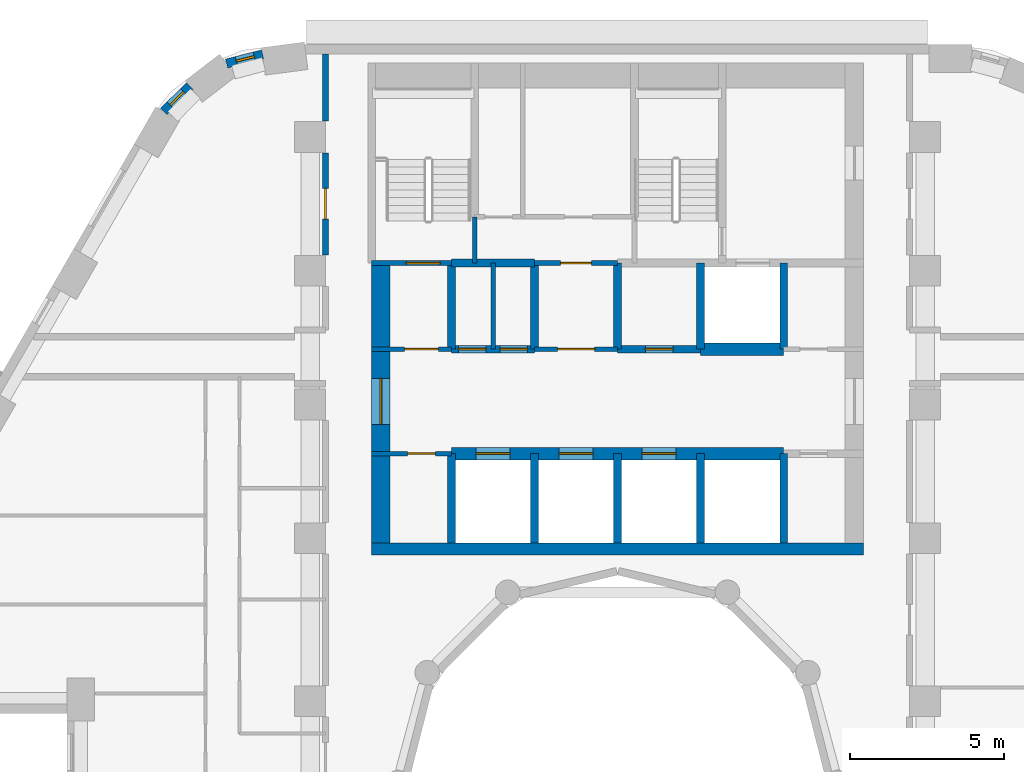
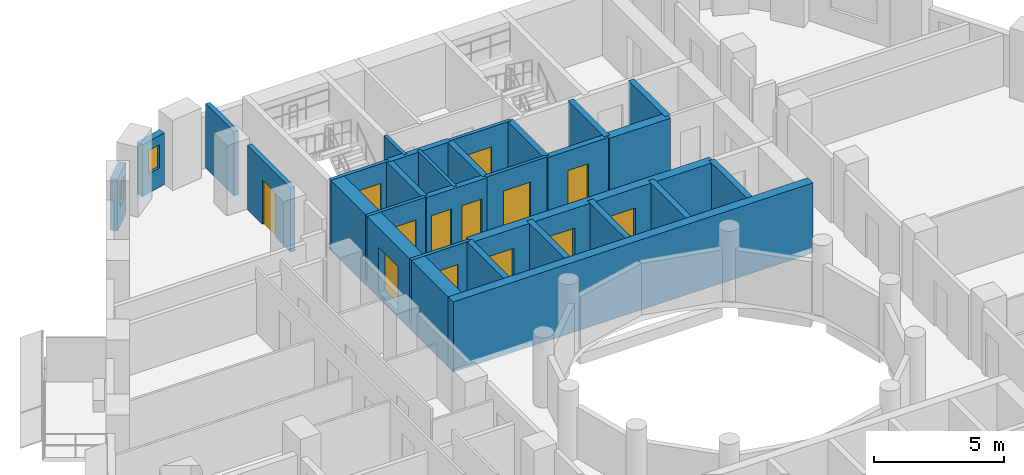
# One storey, part 7 of 14: 28 walls, 13 doors, 2 windows, 15 openings.
"""IFC4 building model written with IfcOpenShell, lengths in metres."""

from ifc_helpers import new_model, si_unit, direction, frame, frame_2d, origin, place, context, subcontext, project, spatial, rectangle, extrude, material, layer, layer_set, type_object, element, fill, save


model = new_model("IFC4")

# Units and contexts
model_context = context("Model", 3, precision=1e-05, world=origin(), true_north=direction((0.0, 1.0)))
body_context = subcontext(model_context, "Body", "Model", "MODEL_VIEW")
ifc_project = project(units=[si_unit("LENGTHUNIT", "METRE"), si_unit("AREAUNIT", "SQUARE_METRE"), si_unit("VOLUMEUNIT", "CUBIC_METRE"), si_unit("PLANEANGLEUNIT", "RADIAN"), si_unit("MASSUNIT", "GRAM", prefix="KILO")], contexts=[model_context])

# Site, building, storey
site_placement = place(None, origin())
site = spatial("IfcSite", under=ifc_project, at=site_placement, CompositionType="ELEMENT")
building_placement = place(site_placement, origin())
building = spatial("IfcBuilding", under=site, at=building_placement, Name="Nakaniwa Court", CompositionType="ELEMENT")
storey_placement = place(building_placement, frame((0.0, 0.0, 110.699951171875)))
storey = spatial("IfcBuildingStorey", under=building, at=storey_placement, Name="L29", CompositionType="ELEMENT", Elevation=110.699951171875)

# Wall, opening, door
ifc_material_1 = material(Name="Acoustic double stud partition")
ifc_layer_1 = layer(ifc_material_1, 0.199951171875)
ifc_layer_set_1 = layer_set([ifc_layer_1], Name="Acoustic double stud partition")
wall_type_1 = type_object("IfcWallType", Name="Acoustic double stud partition 200", PredefinedType="PARTITIONING", material=ifc_layer_set_1)
wall_1_placement = place(storey_placement, frame((70.5, 97.1669921875, 0.0), z_axis=(0.0, 0.0, 1.0), x_axis=(0.0, 1.0, 0.0)))
wall_1 = element("IfcWall", 1, at=wall_1_placement, inside=storey, type_object=wall_type_1, Name="Partition PW-107", PredefinedType="PARTITIONING", context=body_context, shape_type="SweptSolid", body=[
    extrude(rectangle(XDim=3.31591796875, YDim=0.199951171875, at=frame_2d((1.657958984375, 0.0))), origin(), (0.0, 0.0, 1.0), 3.025146484375),
])
opening_1_placement = place(wall_1_placement, frame((1.157958984375, 0.0, 0.0)))
opening_1 = element("IfcOpeningElement", 2, at=opening_1_placement, cuts=wall_1, Name="Opening D-02-06", PredefinedType="OPENING", context=body_context, shape_type="SweptSolid", body=[
    extrude(rectangle(XDim=1.0, YDim=2.10009765625, at=frame_2d((0.5, 1.050048828125))), frame((0.0, 0.10986328125, 0.0), z_axis=(0.0, -1.0, 0.0), x_axis=(1.0, 0.0, 0.0)), (0.0, 0.0, 1.0), 0.219970703125),
])
ifc_material_2 = material(Name="Solid core timber door set, black veneer", Category="wood")
door_type_1 = type_object("IfcDoorType", Name="Internal door 1000", OperationType="NOTDEFINED", PredefinedType="DOOR", material=ifc_material_2)
door_1_placement = place(opening_1_placement, origin())
door_1 = element("IfcDoor", 3, at=door_1_placement, inside=storey, type_object=door_type_1, Name="Door D-02-06 L29-052", OperationType="SINGLE_SWING_LEFT", OverallHeight=2.10009765625, OverallWidth=1.0, PredefinedType="DOOR", context=body_context, shape_type="SweptSolid", body=[
    extrude(rectangle(XDim=1.0, YDim=2.10009765625, at=frame_2d((0.5, 1.050048828125))), frame((0.0, 0.02490234375, 0.0), z_axis=(0.0, -1.0, 0.0), x_axis=(1.0, 0.0, 0.0)), (0.0, 0.0, 1.0), 0.050048828125),
])
fill(opening_1, door_1)

# Wall
wall_2_placement = place(storey_placement, frame((70.5, 101.51708984375, 0.0), z_axis=(0.0, 0.0, 1.0), x_axis=(0.0, 1.0, 0.0)))
element("IfcWall", 4, at=wall_2_placement, inside=storey, type_object=wall_type_1, Name="Partition PW-108", PredefinedType="PARTITIONING", context=body_context, shape_type="SweptSolid", body=[
    extrude(rectangle(XDim=2.182861328125, YDim=0.199951171875, at=frame_2d((1.09130859375, 0.0))), origin(), (0.0, 0.0, 1.0), 3.025146484375),
])

# Wall, opening, window
ifc_material_3 = material(Name="Charcoal ceramic cladding")
ifc_layer_2 = layer(ifc_material_3, 0.02, Name="Ceramic cladding")
ifc_material_4 = material(Name="Ventilated air cavity")
ifc_layer_3 = layer(ifc_material_4, 0.04, ventilated=True, Name="Ventilated cavity")
ifc_material_5 = material(Name="Mineral wool insulation")
ifc_layer_4 = layer(ifc_material_5, 0.1, Name="Insulation")
ifc_material_6 = material(Name="Cement bonded sheathing board")
ifc_layer_5 = layer(ifc_material_6, 0.012, Name="Sheathing")
ifc_material_7 = material(Name="Cold-formed galvanised stud frame with mineral wool infill")
ifc_layer_6 = layer(ifc_material_7, 0.1, Name="Stud frame")
ifc_material_8 = material(Name="Fire-rated gypsum plasterboard lining")
ifc_layer_7 = layer(ifc_material_8, 0.028, Name="Lining")
ifc_layer_set_2 = layer_set([ifc_layer_2, ifc_layer_3, ifc_layer_4, ifc_layer_5, ifc_layer_6, ifc_layer_7], Name="Charcoal ceramic faced external wall system")
wall_type_2 = type_object("IfcWallType", Name="Black ceramic faced external wall 300", PredefinedType="SOLIDWALL", material=ifc_layer_set_2)
wall_3_placement = place(storey_placement, frame((68.455810546875, 103.68310546875, 0.0), z_axis=(0.0, 0.0, 1.0), x_axis=(-0.969485113966, -0.245150186208, 0.0)))
wall_3 = element("IfcWall", 5, at=wall_3_placement, inside=storey, type_object=wall_type_2, Name="L29 external wall 09", PredefinedType="SOLIDWALL", context=body_context, shape_type="SweptSolid", body=[
    extrude(rectangle(XDim=1.2080078125, YDim=0.300048828125, at=frame_2d((0.60400390625, 0.0))), origin(), (0.0, 0.0, 1.0), 2.425048828125),
])
opening_2_placement = place(wall_3_placement, frame((0.279541015625, 0.0, 0.89990234375)))
opening_2 = element("IfcOpeningElement", 6, at=opening_2_placement, cuts=wall_3, Name="Opening W8.07", PredefinedType="OPENING", context=body_context, shape_type="SweptSolid", body=[
    extrude(rectangle(XDim=0.60009765625, YDim=1.10009765625, at=frame_2d((0.300048828125, 0.550048828125))), frame((0.0, 0.159912109375, 0.0), z_axis=(0.0, -1.0, 0.0), x_axis=(1.0, 0.0, 0.0)), (0.0, 0.0, 1.0), 0.320068359375),
])
ifc_material_9 = material(Name="Black anodised aluminium frame with dark low-E laminated double glazing", Category="aluminium")
window_type = type_object("IfcWindowType", Name="Dark glass window 600x1100 sill 900", PartitioningType="SINGLE_PANEL", PredefinedType="WINDOW", material=ifc_material_9)
window_1_placement = place(opening_2_placement, origin())
window_1 = element("IfcWindow", 7, at=window_1_placement, inside=storey, type_object=window_type, Name="L29 habitable room window 09-0", OverallHeight=1.10009765625, OverallWidth=0.60009765625, PartitioningType="SINGLE_PANEL", PredefinedType="WINDOW", context=body_context, shape_type="SweptSolid", body=[
    extrude(rectangle(XDim=0.60009765625, YDim=1.10009765625, at=frame_2d((0.300048828125, 0.550048828125))), frame((0.0, 0.030029296875, 0.0), z_axis=(0.0, -1.0, 0.0), x_axis=(1.0, 0.0, 0.0)), (0.0, 0.0, 1.0), 0.06005859375),
])
fill(opening_2, window_1)

wall_4_placement = place(storey_placement, frame((66.085205078125, 102.66259765625, 0.0), z_axis=(0.0, 0.0, 1.0), x_axis=(-0.708951665509, -0.705257070842, 0.0)))
wall_4 = element("IfcWall", 8, at=wall_4_placement, inside=storey, type_object=wall_type_2, Name="L29 external wall 10", PredefinedType="SOLIDWALL", context=body_context, shape_type="SweptSolid", body=[
    extrude(rectangle(XDim=1.189453125, YDim=0.300048828125, at=frame_2d((0.5947265625, 0.0))), origin(), (0.0, 0.0, 1.0), 2.425048828125),
])
opening_3_placement = place(wall_4_placement, frame((0.284423828125, 0.0, 0.89990234375)))
opening_3 = element("IfcOpeningElement", 9, at=opening_3_placement, cuts=wall_4, Name="Opening W8.08", PredefinedType="OPENING", context=body_context, shape_type="SweptSolid", body=[
    extrude(rectangle(XDim=0.60009765625, YDim=1.10009765625, at=frame_2d((0.300048828125, 0.550048828125))), frame((0.0, 0.159912109375, 0.0), z_axis=(0.0, -1.0, 0.0), x_axis=(1.0, 0.0, 0.0)), (0.0, 0.0, 1.0), 0.320068359375),
])
window_2_placement = place(opening_3_placement, origin())
window_2 = element("IfcWindow", 10, at=window_2_placement, inside=storey, type_object=window_type, Name="L29 habitable room window 10-0", OverallHeight=1.10009765625, OverallWidth=0.60009765625, PartitioningType="SINGLE_PANEL", PredefinedType="WINDOW", context=body_context, shape_type="SweptSolid", body=[
    extrude(rectangle(XDim=0.60009765625, YDim=1.10009765625, at=frame_2d((0.300048828125, 0.550048828125))), frame((0.0, 0.030029296875, 0.0), z_axis=(0.0, -1.0, 0.0), x_axis=(1.0, 0.0, 0.0)), (0.0, 0.0, 1.0), 0.06005859375),
])
fill(opening_3, window_2)

# Wall, opening, door
ifc_material_10 = material(Name="Blockwork partition", Category="masonry")
ifc_layer_8 = layer(ifc_material_10, 0.14990234375)
ifc_layer_set_3 = layer_set([ifc_layer_8], Name="Blockwork partition")
wall_type_3 = type_object("IfcWallType", Name="Blockwork partition 150", PredefinedType="PARTITIONING", material=ifc_layer_set_3)
wall_5_placement = place(storey_placement, frame((74.60009765625, 90.699951171875, 0.0), z_axis=(0.0, 0.0, 1.0), x_axis=(-1.0, 0.0, 0.0)))
wall_5 = element("IfcWall", 11, at=wall_5_placement, inside=storey, type_object=wall_type_3, Name="Partition PW-003", PredefinedType="PARTITIONING", context=body_context, shape_type="SweptSolid", body=[
    extrude(rectangle(XDim=2.60009765625, YDim=0.14990234375, at=frame_2d((1.300048828125, 0.0))), origin(), (0.0, 0.0, 1.0), 3.025146484375),
])
opening_4_placement = place(wall_5_placement, frame((0.52490234375, 0.0, 0.0)))
opening_4 = element("IfcOpeningElement", 12, at=opening_4_placement, cuts=wall_5, Name="Opening D-05-01", PredefinedType="OPENING", context=body_context, shape_type="SweptSolid", body=[
    extrude(rectangle(XDim=0.89990234375, YDim=2.10009765625, at=frame_2d((0.449951171875, 1.050048828125))), frame((0.0, 0.0849609375, 0.0), z_axis=(0.0, -1.0, 0.0), x_axis=(1.0, 0.0, 0.0)), (0.0, 0.0, 1.0), 0.169921875),
])
ifc_material_11 = material(Name="Fire rated steel door set", Category="steel")
door_type_2 = type_object("IfcDoorType", Name="Service room door 900", OperationType="NOTDEFINED", PredefinedType="DOOR", material=ifc_material_11)
door_2_placement = place(opening_4_placement, origin())
door_2 = element("IfcDoor", 13, at=door_2_placement, inside=storey, type_object=door_type_2, Name="Door D-05-01 L29-001", OperationType="SINGLE_SWING_RIGHT", OverallHeight=2.10009765625, OverallWidth=0.89990234375, PredefinedType="DOOR", context=body_context, shape_type="SweptSolid", body=[
    extrude(rectangle(XDim=0.89990234375, YDim=2.10009765625, at=frame_2d((0.449951171875, 1.050048828125))), frame((0.0, 0.02490234375, 0.0), z_axis=(0.0, -1.0, 0.0), x_axis=(1.0, 0.0, 0.0)), (0.0, 0.0, 1.0), 0.050048828125),
])
fill(opening_4, door_2)

wall_6_placement = place(storey_placement, frame((72.0, 94.10009765625, 0.0), z_axis=(0.0, 0.0, 1.0), x_axis=(1.0, 0.0, 0.0)))
wall_6 = element("IfcWall", 14, at=wall_6_placement, inside=storey, type_object=wall_type_3, Name="Partition PW-016", PredefinedType="PARTITIONING", context=body_context, shape_type="SweptSolid", body=[
    extrude(rectangle(XDim=2.60302734375, YDim=0.14990234375, at=frame_2d((1.301513671875, 0.0))), origin(), (0.0, 0.0, 1.0), 3.025146484375),
])
opening_5_placement = place(wall_6_placement, frame((1.074951171875, 0.0, 0.0)))
opening_5 = element("IfcOpeningElement", 15, at=opening_5_placement, cuts=wall_6, Name="Opening D-08-01", PredefinedType="OPENING", context=body_context, shape_type="SweptSolid", body=[
    extrude(rectangle(XDim=1.10009765625, YDim=2.10009765625, at=frame_2d((0.550048828125, 1.050048828125))), frame((0.0, 0.0849609375, 0.0), z_axis=(0.0, -1.0, 0.0), x_axis=(1.0, 0.0, 0.0)), (0.0, 0.0, 1.0), 0.169921875),
])
door_type_3 = type_object("IfcDoorType", Name="Stair lobby door 1100", OperationType="NOTDEFINED", PredefinedType="DOOR", material=ifc_material_11)
door_3_placement = place(opening_5_placement, origin())
door_3 = element("IfcDoor", 16, at=door_3_placement, inside=storey, type_object=door_type_3, Name="Door D-08-01 L29-003", OperationType="SINGLE_SWING_RIGHT", OverallHeight=2.10009765625, OverallWidth=1.10009765625, PredefinedType="DOOR", context=body_context, shape_type="SweptSolid", body=[
    extrude(rectangle(XDim=1.10009765625, YDim=2.10009765625, at=frame_2d((0.550048828125, 1.050048828125))), frame((0.0, 0.02490234375, 0.0), z_axis=(0.0, -1.0, 0.0), x_axis=(1.0, 0.0, 0.0)), (0.0, 0.0, 1.0), 0.050048828125),
])
fill(opening_5, door_3)

wall_7_placement = place(storey_placement, frame((77.297119140625, 94.10009765625, 0.0), z_axis=(0.0, 0.0, 1.0), x_axis=(1.0, 0.0, 0.0)))
wall_7 = element("IfcWall", 17, at=wall_7_placement, inside=storey, type_object=wall_type_3, Name="Partition PW-017", PredefinedType="PARTITIONING", context=body_context, shape_type="SweptSolid", body=[
    extrude(rectangle(XDim=2.705810546875, YDim=0.14990234375, at=frame_2d((1.35302734375, 0.0))), origin(), (0.0, 0.0, 1.0), 3.025146484375),
])
opening_6_placement = place(wall_7_placement, frame((0.7529296875, 0.0, 0.0)))
opening_6 = element("IfcOpeningElement", 18, at=opening_6_placement, cuts=wall_7, Name="Opening D-06-01", PredefinedType="OPENING", context=body_context, shape_type="SweptSolid", body=[
    extrude(rectangle(XDim=1.199951171875, YDim=2.10009765625, at=frame_2d((0.60009765625, 1.050048828125))), frame((0.0, 0.0849609375, 0.0), z_axis=(0.0, -1.0, 0.0), x_axis=(1.0, 0.0, 0.0)), (0.0, 0.0, 1.0), 0.169921875),
])
ifc_material_12 = material(Name="Fire rated steel double door set", Category="steel")
door_type_4 = type_object("IfcDoorType", Name="Service passage double door 1200", OperationType="NOTDEFINED", PredefinedType="DOOR", material=ifc_material_12)
door_4_placement = place(opening_6_placement, origin())
door_4 = element("IfcDoor", 19, at=door_4_placement, inside=storey, type_object=door_type_4, Name="Door D-06-01 L29-006", OperationType="DOUBLE_DOOR_SINGLE_SWING", OverallHeight=2.10009765625, OverallWidth=1.199951171875, PredefinedType="DOOR", context=body_context, shape_type="SweptSolid", body=[
    extrude(rectangle(XDim=1.199951171875, YDim=2.10009765625, at=frame_2d((0.60009765625, 1.050048828125))), frame((0.0, 0.02490234375, 0.0), z_axis=(0.0, -1.0, 0.0), x_axis=(1.0, 0.0, 0.0)), (0.0, 0.0, 1.0), 0.050048828125),
])
fill(opening_6, door_4)

# Wall
wall_8_placement = place(storey_placement, frame((75.949951171875, 94.10009765625, 0.0), z_axis=(0.0, 0.0, 1.0), x_axis=(0.0, 1.0, 0.0)))
element("IfcWall", 20, at=wall_8_placement, inside=storey, type_object=wall_type_3, Name="Partition PW-023", PredefinedType="PARTITIONING", context=body_context, shape_type="SweptSolid", body=[
    extrude(rectangle(XDim=2.7998046875, YDim=0.14990234375, at=frame_2d((1.39990234375, 0.0))), origin(), (0.0, 0.0, 1.0), 3.025146484375),
])

# Wall, opening, door
wall_9_placement = place(storey_placement, frame((77.300048828125, 96.89990234375, 0.0), z_axis=(0.0, 0.0, 1.0), x_axis=(1.0, 0.0, 0.0)))
wall_9 = element("IfcWall", 21, at=wall_9_placement, inside=storey, type_object=wall_type_3, Name="Partition PW-026", PredefinedType="PARTITIONING", context=body_context, shape_type="SweptSolid", body=[
    extrude(rectangle(XDim=2.699951171875, YDim=0.14990234375, at=frame_2d((1.35009765625, 0.0))), origin(), (0.0, 0.0, 1.0), 3.025146484375),
])
opening_7_placement = place(wall_9_placement, frame((0.85009765625, 0.0, 0.0)))
opening_7 = element("IfcOpeningElement", 22, at=opening_7_placement, cuts=wall_9, Name="Opening D-23-01", PredefinedType="OPENING", context=body_context, shape_type="SweptSolid", body=[
    extrude(rectangle(XDim=1.0, YDim=2.10009765625, at=frame_2d((0.5, 1.050048828125))), frame((0.0, 0.0849609375, 0.0), z_axis=(0.0, -1.0, 0.0), x_axis=(1.0, 0.0, 0.0)), (0.0, 0.0, 1.0), 0.169921875),
])
door_type_5 = type_object("IfcDoorType", Name="Service room door 1000", OperationType="NOTDEFINED", PredefinedType="DOOR", material=ifc_material_11)
door_5_placement = place(opening_7_placement, origin())
door_5 = element("IfcDoor", 23, at=door_5_placement, inside=storey, type_object=door_type_5, Name="Door D-23-01 L29-009", OperationType="SINGLE_SWING_RIGHT", OverallHeight=2.10009765625, OverallWidth=1.0, PredefinedType="DOOR", context=body_context, shape_type="SweptSolid", body=[
    extrude(rectangle(XDim=1.0, YDim=2.10009765625, at=frame_2d((0.5, 1.050048828125))), frame((0.0, 0.02490234375, 0.0), z_axis=(0.0, -1.0, 0.0), x_axis=(1.0, 0.0, 0.0)), (0.0, 0.0, 1.0), 0.050048828125),
])
fill(opening_7, door_5)

ifc_material_13 = material(Name="Concrete C80/100", Category="concrete")
ifc_layer_9 = layer(ifc_material_13, 0.60009765625)
ifc_layer_set_4 = layer_set([ifc_layer_9], Name="Concrete C80/100")
wall_type_4 = type_object("IfcWallType", Name="Concrete core side wall 600 C80", PredefinedType="SHEAR", material=ifc_layer_set_4)
wall_10_placement = place(storey_placement, frame((72.300048828125, 87.800048828125, -0.27490234375), z_axis=(0.0, 0.0, 1.0), x_axis=(0.0, 1.0, 0.0)))
wall_10 = element("IfcWall", 24, at=wall_10_placement, inside=storey, type_object=wall_type_4, Name="Core wall SW-04", PredefinedType="SHEAR", context=body_context, shape_type="SweptSolid", body=[
    extrude(rectangle(XDim=9.099853515625, YDim=0.60009765625, at=frame_2d((4.5498046875, 0.0))), origin(), (0.0, 0.0, 1.0), 3.300048828125),
])
opening_8_placement = place(wall_10_placement, frame((3.85009765625, 0.0, 0.27490234375)))
opening_8 = element("IfcOpeningElement", 25, at=opening_8_placement, cuts=wall_10, Name="Opening D-07-02", PredefinedType="OPENING", context=body_context, shape_type="SweptSolid", body=[
    extrude(rectangle(XDim=1.5, YDim=2.10009765625, at=frame_2d((0.75, 1.050048828125))), frame((0.0, 0.31005859375, 0.0), z_axis=(0.0, -1.0, 0.0), x_axis=(1.0, 0.0, 0.0)), (0.0, 0.0, 1.0), 0.6201171875),
])
ifc_material_14 = material(Name="Glazed fire rated steel double door set", Category="steel")
door_type_6 = type_object("IfcDoorType", Name="Lobby double door 1500", OperationType="NOTDEFINED", PredefinedType="DOOR", material=ifc_material_14)
door_6_placement = place(opening_8_placement, origin())
door_6 = element("IfcDoor", 26, at=door_6_placement, inside=storey, type_object=door_type_6, Name="Door D-07-02 L29-055", OperationType="DOUBLE_DOOR_SINGLE_SWING", OverallHeight=2.10009765625, OverallWidth=1.5, PredefinedType="DOOR", context=body_context, shape_type="SweptSolid", body=[
    extrude(rectangle(XDim=1.5, YDim=2.10009765625, at=frame_2d((0.75, 1.050048828125))), frame((0.0, 0.02490234375, 0.0), z_axis=(0.0, -1.0, 0.0), x_axis=(1.0, 0.0, 0.0)), (0.0, 0.0, 1.0), 0.050048828125),
])
fill(opening_8, door_6)

# Wall, openings, doors
ifc_layer_10 = layer(ifc_material_13, 0.39990234375)
ifc_layer_set_5 = layer_set([ifc_layer_10], Name="Concrete C80/100")
wall_type_5 = type_object("IfcWallType", Name="Concrete core spine wall 400 C80", PredefinedType="SHEAR", material=ifc_layer_set_5)
wall_11_placement = place(storey_placement, frame((74.60009765625, 90.699951171875, -0.27490234375), z_axis=(0.0, 0.0, 1.0), x_axis=(1.0, 0.0, 0.0)))
wall_11 = element("IfcWall", 27, at=wall_11_placement, inside=storey, type_object=wall_type_5, Name="Core wall SW-07", PredefinedType="SHEAR", context=body_context, shape_type="SweptSolid", body=[
    extrude(rectangle(XDim=10.7998046875, YDim=0.39990234375, at=frame_2d((5.39990234375, 0.0))), origin(), (0.0, 0.0, 1.0), 3.300048828125),
])
opening_9_placement = place(wall_11_placement, frame((0.800048828125, 0.0, 0.27490234375)))
opening_9 = element("IfcOpeningElement", 28, at=opening_9_placement, cuts=wall_11, Name="Opening LD01", PredefinedType="OPENING", context=body_context, shape_type="SweptSolid", body=[
    extrude(rectangle(XDim=1.10009765625, YDim=2.10009765625, at=frame_2d((0.550048828125, 1.050048828125))), frame((0.0, 0.2099609375, 0.0), z_axis=(0.0, -1.0, 0.0), x_axis=(1.0, 0.0, 0.0)), (0.0, 0.0, 1.0), 0.419921875),
])
opening_10_placement = place(wall_11_placement, frame((3.5, 0.0, 0.27490234375)))
opening_10 = element("IfcOpeningElement", 29, at=opening_10_placement, cuts=wall_11, Name="Opening LD02", PredefinedType="OPENING", context=body_context, shape_type="SweptSolid", body=[
    extrude(rectangle(XDim=1.10009765625, YDim=2.10009765625, at=frame_2d((0.550048828125, 1.050048828125))), frame((0.0, 0.2099609375, 0.0), z_axis=(0.0, -1.0, 0.0), x_axis=(1.0, 0.0, 0.0)), (0.0, 0.0, 1.0), 0.419921875),
])
opening_11_placement = place(wall_11_placement, frame((6.199951171875, 0.0, 0.27490234375)))
opening_11 = element("IfcOpeningElement", 30, at=opening_11_placement, cuts=wall_11, Name="Opening LD03", PredefinedType="OPENING", context=body_context, shape_type="SweptSolid", body=[
    extrude(rectangle(XDim=1.10009765625, YDim=2.10009765625, at=frame_2d((0.550048828125, 1.050048828125))), frame((0.0, 0.2099609375, 0.0), z_axis=(0.0, -1.0, 0.0), x_axis=(1.0, 0.0, 0.0)), (0.0, 0.0, 1.0), 0.419921875),
])
ifc_material_15 = material(Name="Stainless steel sliding lift landing door", Category="steel")
door_type_7 = type_object("IfcDoorType", Name="Lift landing door 1100", OperationType="NOTDEFINED", PredefinedType="DOOR", material=ifc_material_15)
door_7_placement = place(opening_9_placement, origin())
door_7 = element("IfcDoor", 31, at=door_7_placement, inside=storey, type_object=door_type_7, Name="Lift landing door LD01 L29-001", OperationType="SLIDING_TO_LEFT", OverallHeight=2.10009765625, OverallWidth=1.10009765625, PredefinedType="DOOR", context=body_context, shape_type="SweptSolid", body=[
    extrude(rectangle(XDim=1.10009765625, YDim=2.10009765625, at=frame_2d((0.550048828125, 1.050048828125))), frame((0.0, 0.02490234375, 0.0), z_axis=(0.0, -1.0, 0.0), x_axis=(1.0, 0.0, 0.0)), (0.0, 0.0, 1.0), 0.050048828125),
])
fill(opening_9, door_7)
door_8_placement = place(opening_10_placement, origin())
door_8 = element("IfcDoor", 32, at=door_8_placement, inside=storey, type_object=door_type_7, Name="Lift landing door LD02 L29-002", OperationType="SLIDING_TO_LEFT", OverallHeight=2.10009765625, OverallWidth=1.10009765625, PredefinedType="DOOR", context=body_context, shape_type="SweptSolid", body=[
    extrude(rectangle(XDim=1.10009765625, YDim=2.10009765625, at=frame_2d((0.550048828125, 1.050048828125))), frame((0.0, 0.02490234375, 0.0), z_axis=(0.0, -1.0, 0.0), x_axis=(1.0, 0.0, 0.0)), (0.0, 0.0, 1.0), 0.050048828125),
])
fill(opening_10, door_8)
door_9_placement = place(opening_11_placement, origin())
door_9 = element("IfcDoor", 33, at=door_9_placement, inside=storey, type_object=door_type_7, Name="Lift landing door LD03 L29-003", OperationType="SLIDING_TO_LEFT", OverallHeight=2.10009765625, OverallWidth=1.10009765625, PredefinedType="DOOR", context=body_context, shape_type="SweptSolid", body=[
    extrude(rectangle(XDim=1.10009765625, YDim=2.10009765625, at=frame_2d((0.550048828125, 1.050048828125))), frame((0.0, 0.02490234375, 0.0), z_axis=(0.0, -1.0, 0.0), x_axis=(1.0, 0.0, 0.0)), (0.0, 0.0, 1.0), 0.050048828125),
])
fill(opening_11, door_9)

# Wall
wall_12_placement = place(storey_placement, frame((82.697021484375, 94.10009765625, -0.27490234375), z_axis=(0.0, 0.0, 1.0), x_axis=(1.0, 0.0, 0.0)))
element("IfcWall", 34, at=wall_12_placement, inside=storey, type_object=wall_type_5, Name="Core wall SW-21", PredefinedType="SHEAR", context=body_context, shape_type="SweptSolid", body=[
    extrude(rectangle(XDim=2.7060546875, YDim=0.39990234375, at=frame_2d((1.35302734375, 0.0))), origin(), (0.0, 0.0, 1.0), 3.300048828125),
])

# Wall, opening, door
ifc_layer_11 = layer(ifc_material_13, 0.14990234375)
ifc_layer_set_6 = layer_set([ifc_layer_11], Name="Concrete C80/100")
wall_type_6 = type_object("IfcWallType", Name="Concrete core wall 150 C80", PredefinedType="SHEAR", material=ifc_layer_set_6)
wall_13_placement = place(storey_placement, frame((74.60009765625, 96.89990234375, -0.27490234375), z_axis=(0.0, 0.0, 1.0), x_axis=(-1.0, 0.0, 0.0)))
wall_13 = element("IfcWall", 35, at=wall_13_placement, inside=storey, type_object=wall_type_6, Name="Core wall SW-22", PredefinedType="SHEAR", context=body_context, shape_type="SweptSolid", body=[
    extrude(rectangle(XDim=2.60009765625, YDim=0.14990234375, at=frame_2d((1.300048828125, 0.0))), origin(), (0.0, 0.0, 1.0), 3.300048828125),
])
opening_12_placement = place(wall_13_placement, frame((0.3701171875, 0.0, 0.27490234375)))
opening_12 = element("IfcOpeningElement", 36, at=opening_12_placement, cuts=wall_13, Name="Opening D-09-01", PredefinedType="OPENING", context=body_context, shape_type="SweptSolid", body=[
    extrude(rectangle(XDim=1.10009765625, YDim=2.10009765625, at=frame_2d((0.550048828125, 1.050048828125))), frame((0.0, 0.0849609375, 0.0), z_axis=(0.0, -1.0, 0.0), x_axis=(1.0, 0.0, 0.0)), (0.0, 0.0, 1.0), 0.169921875),
])
door_type_8 = type_object("IfcDoorType", Name="Stair door 1100", OperationType="NOTDEFINED", PredefinedType="DOOR", material=ifc_material_11)
door_10_placement = place(opening_12_placement, origin())
door_10 = element("IfcDoor", 37, at=door_10_placement, inside=storey, type_object=door_type_8, Name="Door D-09-01 L29-012", OperationType="SINGLE_SWING_RIGHT", OverallHeight=2.10009765625, OverallWidth=1.10009765625, PredefinedType="DOOR", context=body_context, shape_type="SweptSolid", body=[
    extrude(rectangle(XDim=1.10009765625, YDim=2.10009765625, at=frame_2d((0.550048828125, 1.050048828125))), frame((0.0, 0.02490234375, 0.0), z_axis=(0.0, -1.0, 0.0), x_axis=(1.0, 0.0, 0.0)), (0.0, 0.0, 1.0), 0.050048828125),
])
fill(opening_12, door_10)

# Walls
wall_14_placement = place(storey_placement, frame((75.35009765625, 96.89990234375, -0.27490234375), z_axis=(0.0, 0.0, 1.0), x_axis=(0.0, 1.0, 0.0)))
element("IfcWall", 38, at=wall_14_placement, inside=storey, type_object=wall_type_6, Name="Core wall SW-27", PredefinedType="SHEAR", context=body_context, shape_type="SweptSolid", body=[
    extrude(rectangle(XDim=1.503173828125, YDim=0.14990234375, at=frame_2d((0.75146484375, 0.0))), origin(), (0.0, 0.0, 1.0), 3.300048828125),
])
ifc_layer_12 = layer(ifc_material_13, 0.39990234375)
ifc_layer_set_7 = layer_set([ifc_layer_12], Name="Concrete C80/100")
wall_type_7 = type_object("IfcWallType", Name="Concrete core well wall 400 C80", PredefinedType="SHEAR", material=ifc_layer_set_7)
wall_15_placement = place(storey_placement, frame((72.00390625, 87.60009765625, -0.27490234375), z_axis=(0.0, 0.0, 1.0), x_axis=(1.0, 0.0, 0.0)))
element("IfcWall", 39, at=wall_15_placement, inside=storey, type_object=wall_type_7, Name="Core wall SW-132", PredefinedType="SHEAR", context=body_context, shape_type="SweptSolid", body=[
    extrude(rectangle(XDim=15.9921875, YDim=0.39990234375, at=frame_2d((7.99609375, 0.0))), origin(), (0.0, 0.0, 1.0), 3.300048828125),
])
ifc_layer_13 = layer(ifc_material_13, 0.25)
ifc_layer_set_8 = layer_set([ifc_layer_13], Name="Concrete C80/100")
wall_type_8 = type_object("IfcWallType", Name="Concrete shaft wall 250 C80", PredefinedType="SHEAR", material=ifc_layer_set_8)
wall_16_placement = place(storey_placement, frame((74.60009765625, 87.800048828125, -0.27490234375), z_axis=(0.0, 0.0, 1.0), x_axis=(0.0, 1.0, 0.0)))
element("IfcWall", 40, at=wall_16_placement, inside=storey, type_object=wall_type_8, Name="Core wall SW-01", PredefinedType="SHEAR", context=body_context, shape_type="SweptSolid", body=[
    extrude(rectangle(XDim=2.89990234375, YDim=0.25, at=frame_2d((1.449951171875, 0.0))), origin(), (0.0, 0.0, 1.0), 3.300048828125),
])
wall_17_placement = place(storey_placement, frame((74.60009765625, 94.10009765625, -0.27490234375), z_axis=(0.0, 0.0, 1.0), x_axis=(0.0, 1.0, 0.0)))
element("IfcWall", 41, at=wall_17_placement, inside=storey, type_object=wall_type_8, Name="Core wall SW-02", PredefinedType="SHEAR", context=body_context, shape_type="SweptSolid", body=[
    extrude(rectangle(XDim=2.7998046875, YDim=0.25, at=frame_2d((1.39990234375, 0.0))), origin(), (0.0, 0.0, 1.0), 3.300048828125),
])
wall_18_placement = place(storey_placement, frame((77.300048828125, 87.800048828125, -0.27490234375), z_axis=(0.0, 0.0, 1.0), x_axis=(0.0, 1.0, 0.0)))
element("IfcWall", 42, at=wall_18_placement, inside=storey, type_object=wall_type_8, Name="Core wall SW-05", PredefinedType="SHEAR", context=body_context, shape_type="SweptSolid", body=[
    extrude(rectangle(XDim=2.89990234375, YDim=0.25, at=frame_2d((1.449951171875, 0.0))), origin(), (0.0, 0.0, 1.0), 3.300048828125),
])
wall_19_placement = place(storey_placement, frame((77.300048828125, 94.10009765625, -0.27490234375), z_axis=(0.0, 0.0, 1.0), x_axis=(0.0, 1.0, 0.0)))
element("IfcWall", 43, at=wall_19_placement, inside=storey, type_object=wall_type_8, Name="Core wall SW-06", PredefinedType="SHEAR", context=body_context, shape_type="SweptSolid", body=[
    extrude(rectangle(XDim=2.7998046875, YDim=0.25, at=frame_2d((1.39990234375, 0.0))), origin(), (0.0, 0.0, 1.0), 3.300048828125),
])
wall_20_placement = place(storey_placement, frame((80.0, 87.800048828125, -0.27490234375), z_axis=(0.0, 0.0, 1.0), x_axis=(0.0, 1.0, 0.0)))
element("IfcWall", 44, at=wall_20_placement, inside=storey, type_object=wall_type_8, Name="Core wall SW-08", PredefinedType="SHEAR", context=body_context, shape_type="SweptSolid", body=[
    extrude(rectangle(XDim=2.89990234375, YDim=0.25, at=frame_2d((1.449951171875, 0.0))), origin(), (0.0, 0.0, 1.0), 3.300048828125),
])
wall_21_placement = place(storey_placement, frame((80.0, 94.10009765625, -0.27490234375), z_axis=(0.0, 0.0, 1.0), x_axis=(0.0, 1.0, 0.0)))
element("IfcWall", 45, at=wall_21_placement, inside=storey, type_object=wall_type_8, Name="Core wall SW-09", PredefinedType="SHEAR", context=body_context, shape_type="SweptSolid", body=[
    extrude(rectangle(XDim=2.7998046875, YDim=0.25, at=frame_2d((1.39990234375, 0.0))), origin(), (0.0, 0.0, 1.0), 3.300048828125),
])
wall_22_placement = place(storey_placement, frame((82.699951171875, 87.800048828125, -0.27490234375), z_axis=(0.0, 0.0, 1.0), x_axis=(0.0, 1.0, 0.0)))
element("IfcWall", 46, at=wall_22_placement, inside=storey, type_object=wall_type_8, Name="Core wall SW-10", PredefinedType="SHEAR", context=body_context, shape_type="SweptSolid", body=[
    extrude(rectangle(XDim=2.89990234375, YDim=0.25, at=frame_2d((1.449951171875, 0.0))), origin(), (0.0, 0.0, 1.0), 3.300048828125),
])
wall_23_placement = place(storey_placement, frame((82.699951171875, 94.10009765625, -0.27490234375), z_axis=(0.0, 0.0, 1.0), x_axis=(0.0, 1.0, 0.0)))
element("IfcWall", 47, at=wall_23_placement, inside=storey, type_object=wall_type_8, Name="Core wall SW-11", PredefinedType="SHEAR", context=body_context, shape_type="SweptSolid", body=[
    extrude(rectangle(XDim=2.7998046875, YDim=0.25, at=frame_2d((1.39990234375, 0.0))), origin(), (0.0, 0.0, 1.0), 3.300048828125),
])
wall_24_placement = place(storey_placement, frame((85.39990234375, 87.800048828125, -0.27490234375), z_axis=(0.0, 0.0, 1.0), x_axis=(0.0, 1.0, 0.0)))
element("IfcWall", 48, at=wall_24_placement, inside=storey, type_object=wall_type_8, Name="Core wall SW-12", PredefinedType="SHEAR", context=body_context, shape_type="SweptSolid", body=[
    extrude(rectangle(XDim=2.89990234375, YDim=0.25, at=frame_2d((1.449951171875, 0.0))), origin(), (0.0, 0.0, 1.0), 3.300048828125),
])
wall_25_placement = place(storey_placement, frame((85.39990234375, 94.10009765625, -0.27490234375), z_axis=(0.0, 0.0, 1.0), x_axis=(0.0, 1.0, 0.0)))
element("IfcWall", 49, at=wall_25_placement, inside=storey, type_object=wall_type_8, Name="Core wall SW-13", PredefinedType="SHEAR", context=body_context, shape_type="SweptSolid", body=[
    extrude(rectangle(XDim=2.7998046875, YDim=0.25, at=frame_2d((1.39990234375, 0.0))), origin(), (0.0, 0.0, 1.0), 3.300048828125),
])

# Wall, openings, doors
wall_26_placement = place(storey_placement, frame((74.596923828125, 94.10009765625, -0.27490234375), z_axis=(0.0, 0.0, 1.0), x_axis=(1.0, 0.0, 0.0)))
wall_26 = element("IfcWall", 50, at=wall_26_placement, inside=storey, type_object=wall_type_8, Name="Core wall SW-19", PredefinedType="SHEAR", context=body_context, shape_type="SweptSolid", body=[
    extrude(rectangle(XDim=2.7060546875, YDim=0.25, at=frame_2d((1.35302734375, 0.0))), origin(), (0.0, 0.0, 1.0), 3.300048828125),
])
opening_13_placement = place(wall_26_placement, frame((0.22802734375, 0.0, 0.27490234375)))
opening_13 = element("IfcOpeningElement", 51, at=opening_13_placement, cuts=wall_26, Name="Opening D-05-03", PredefinedType="OPENING", context=body_context, shape_type="SweptSolid", body=[
    extrude(rectangle(XDim=0.89990234375, YDim=2.10009765625, at=frame_2d((0.449951171875, 1.050048828125))), frame((0.0, 0.135009765625, 0.0), z_axis=(0.0, -1.0, 0.0), x_axis=(1.0, 0.0, 0.0)), (0.0, 0.0, 1.0), 0.27001953125),
])
opening_14_placement = place(wall_26_placement, frame((1.577880859375, 0.0, 0.27490234375)))
opening_14 = element("IfcOpeningElement", 52, at=opening_14_placement, cuts=wall_26, Name="Opening D-05-04", PredefinedType="OPENING", context=body_context, shape_type="SweptSolid", body=[
    extrude(rectangle(XDim=0.89990234375, YDim=2.10009765625, at=frame_2d((0.449951171875, 1.050048828125))), frame((0.0, 0.135009765625, 0.0), z_axis=(0.0, -1.0, 0.0), x_axis=(1.0, 0.0, 0.0)), (0.0, 0.0, 1.0), 0.27001953125),
])
door_11_placement = place(opening_13_placement, origin())
door_11 = element("IfcDoor", 53, at=door_11_placement, inside=storey, type_object=door_type_2, Name="Door D-05-03 L29-004", OperationType="SINGLE_SWING_LEFT", OverallHeight=2.10009765625, OverallWidth=0.89990234375, PredefinedType="DOOR", context=body_context, shape_type="SweptSolid", body=[
    extrude(rectangle(XDim=0.89990234375, YDim=2.10009765625, at=frame_2d((0.449951171875, 1.050048828125))), frame((0.0, 0.02490234375, 0.0), z_axis=(0.0, -1.0, 0.0), x_axis=(1.0, 0.0, 0.0)), (0.0, 0.0, 1.0), 0.050048828125),
])
fill(opening_13, door_11)
door_12_placement = place(opening_14_placement, origin())
door_12 = element("IfcDoor", 54, at=door_12_placement, inside=storey, type_object=door_type_2, Name="Door D-05-04 L29-005", OperationType="SINGLE_SWING_RIGHT", OverallHeight=2.10009765625, OverallWidth=0.89990234375, PredefinedType="DOOR", context=body_context, shape_type="SweptSolid", body=[
    extrude(rectangle(XDim=0.89990234375, YDim=2.10009765625, at=frame_2d((0.449951171875, 1.050048828125))), frame((0.0, 0.02490234375, 0.0), z_axis=(0.0, -1.0, 0.0), x_axis=(1.0, 0.0, 0.0)), (0.0, 0.0, 1.0), 0.050048828125),
])
fill(opening_14, door_12)

# Wall, opening, door
wall_27_placement = place(storey_placement, frame((79.9970703125, 94.10009765625, -0.27490234375), z_axis=(0.0, 0.0, 1.0), x_axis=(1.0, 0.0, 0.0)))
wall_27 = element("IfcWall", 55, at=wall_27_placement, inside=storey, type_object=wall_type_8, Name="Core wall SW-20", PredefinedType="SHEAR", context=body_context, shape_type="SweptSolid", body=[
    extrude(rectangle(XDim=2.705810546875, YDim=0.25, at=frame_2d((1.35302734375, 0.0))), origin(), (0.0, 0.0, 1.0), 3.300048828125),
])
opening_15_placement = place(wall_27_placement, frame((0.903076171875, 0.0, 0.27490234375)))
opening_15 = element("IfcOpeningElement", 56, at=opening_15_placement, cuts=wall_27, Name="Opening D-05-05", PredefinedType="OPENING", context=body_context, shape_type="SweptSolid", body=[
    extrude(rectangle(XDim=0.89990234375, YDim=2.10009765625, at=frame_2d((0.449951171875, 1.050048828125))), frame((0.0, 0.135009765625, 0.0), z_axis=(0.0, -1.0, 0.0), x_axis=(1.0, 0.0, 0.0)), (0.0, 0.0, 1.0), 0.27001953125),
])
door_13_placement = place(opening_15_placement, origin())
door_13 = element("IfcDoor", 57, at=door_13_placement, inside=storey, type_object=door_type_2, Name="Door D-05-05 L29-007", OperationType="SINGLE_SWING_RIGHT", OverallHeight=2.10009765625, OverallWidth=0.89990234375, PredefinedType="DOOR", context=body_context, shape_type="SweptSolid", body=[
    extrude(rectangle(XDim=0.89990234375, YDim=2.10009765625, at=frame_2d((0.449951171875, 1.050048828125))), frame((0.0, 0.02490234375, 0.0), z_axis=(0.0, -1.0, 0.0), x_axis=(1.0, 0.0, 0.0)), (0.0, 0.0, 1.0), 0.050048828125),
])
fill(opening_15, door_13)

# Wall
wall_28_placement = place(storey_placement, frame((74.60009765625, 96.89990234375, -0.27490234375), z_axis=(0.0, 0.0, 1.0), x_axis=(1.0, 0.0, 0.0)))
element("IfcWall", 58, at=wall_28_placement, inside=storey, type_object=wall_type_8, Name="Core wall SW-24", PredefinedType="SHEAR", context=body_context, shape_type="SweptSolid", body=[
    extrude(rectangle(XDim=2.699951171875, YDim=0.25, at=frame_2d((1.35009765625, 0.0))), origin(), (0.0, 0.0, 1.0), 3.300048828125),
])

save(model, "model.ifc")
